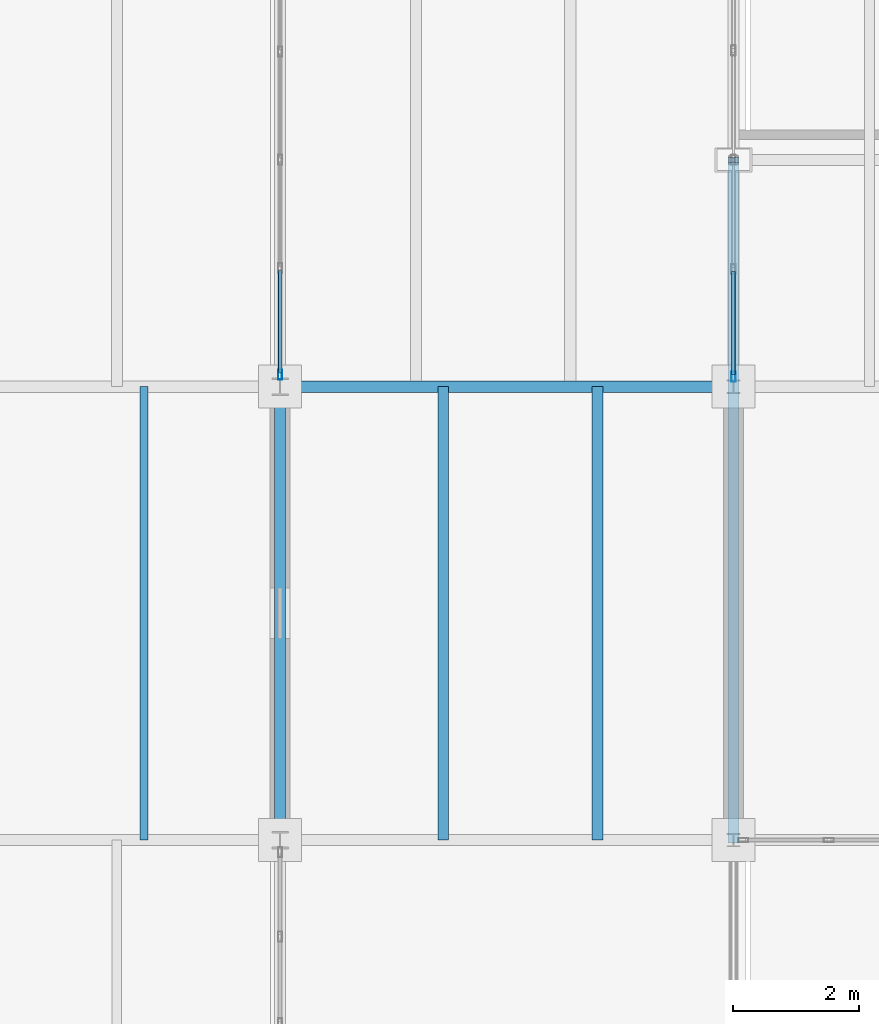
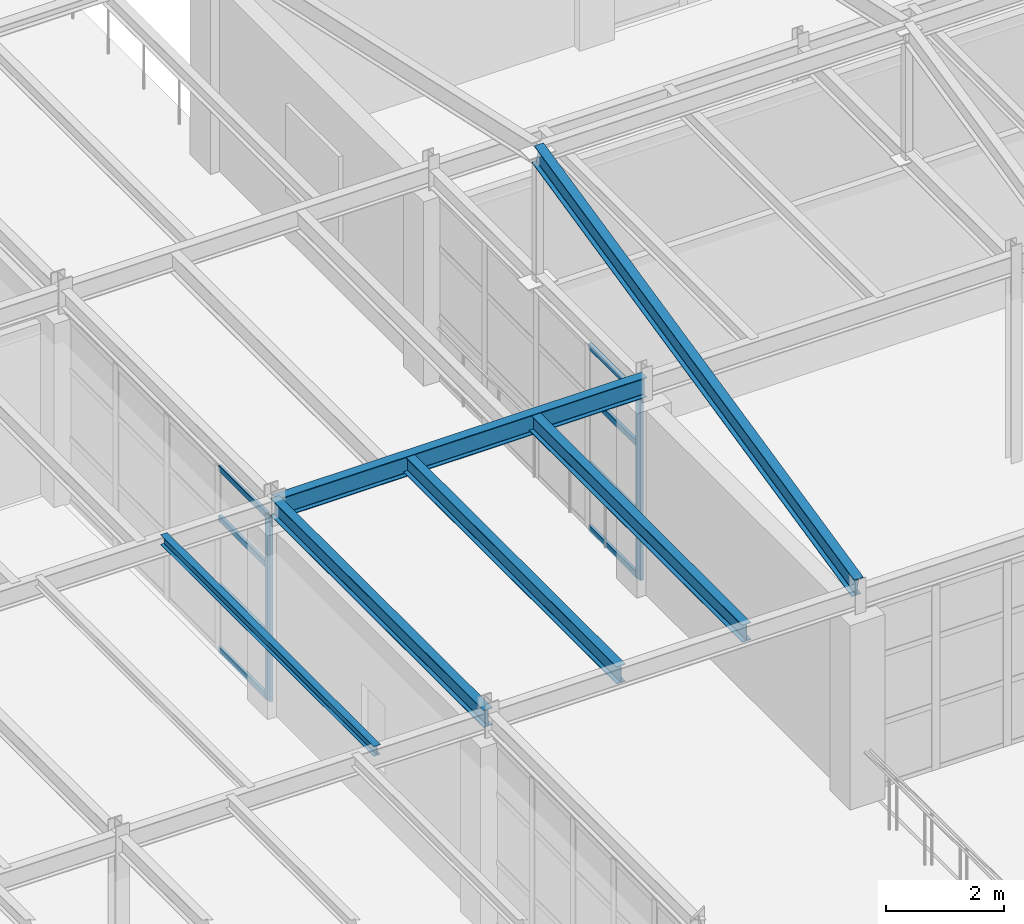
# One storey, part 29 of 101: 10 members, 6 beams, 2 elements without a shape of their own.
"""IFC4 building model written with IfcOpenShell, lengths in metres."""

from ifc_helpers import new_model, si_unit, direction, frame, origin, origin_2d, place, context, subcontext, project, spatial, hollow_rectangle, i_section, extrude, material, layer, layer_set, material_profile, profile_set, type_object, element, aggregate, save


model = new_model("IFC4")

# Units and contexts
model_context = context("Model", 3, precision=1e-05, world=origin(), true_north=direction((0.0, 1.0)))
body_context = subcontext(model_context, "Body", "Model", "MODEL_VIEW")
ifc_project = project(units=[si_unit("LENGTHUNIT", "METRE"), si_unit("AREAUNIT", "SQUARE_METRE"), si_unit("VOLUMEUNIT", "CUBIC_METRE"), si_unit("PLANEANGLEUNIT", "RADIAN"), si_unit("MASSUNIT", "GRAM", prefix="KILO")], contexts=[model_context])

# Site, building, storey
site_placement = place(None, origin())
site = spatial("IfcSite", under=ifc_project, at=site_placement, CompositionType="ELEMENT")
building_placement = place(site_placement, origin())
building = spatial("IfcBuilding", under=site, at=building_placement, Name="Kemerveld Promenade Tramway Depot", CompositionType="ELEMENT")
storey_placement = place(building_placement, frame((0.0, 0.0, 9.89990234375)))
storey = spatial("IfcBuildingStorey", under=building, at=storey_placement, Name="L02", CompositionType="ELEMENT", Elevation=9.89990234375)

# Beams
ifc_material_1 = material(Name="Steel S355", Category="steel")
ifc_material_profile_1 = material_profile(ifc_material_1, i_section(OverallWidth=0.1787109375, OverallDepth=0.409423828125, WebThickness=0.0087890625, FlangeThickness=0.014404296875, FilletRadius=0.01025390625, at=origin_2d()), Name="406x178x67 UB")
ifc_profile_set_1 = profile_set([ifc_material_profile_1], Name="Steel S355")
beam_type_1 = type_object("IfcBeamType", Name="BM-G07", PredefinedType="BEAM", material=ifc_profile_set_1)
beam_1_placement = place(storey_placement, frame((50.39990234375, 14.39990234375, 4.080322265625), z_axis=(1.0, 0.0, 0.0), x_axis=(0.0, 1.0, 0.0)))
element("IfcBeam", 1, at=beam_1_placement, inside=storey, type_object=beam_type_1, Name="BMX-L02-08-09-C", PredefinedType="BEAM", context=body_context, shape_type="SweptSolid", body=[
    extrude(i_section(OverallWidth=0.1787109375, OverallDepth=0.409423828125, WebThickness=0.0087890625, FlangeThickness=0.014404296875, FilletRadius=0.01025390625, at=origin_2d()), origin(), (0.0, 0.0, 1.0), 7.2001953125),
])
beam_2_placement = place(storey_placement, frame((57.60009765625, 7.199951171875, 4.275390625), z_axis=(0.0, 0.976189137057, 0.216921111677), x_axis=(-1.0, 0.0, 0.0)))
element("IfcBeam", 2, at=beam_2_placement, inside=storey, type_object=beam_type_1, Name="RAF-V4-09-S", PredefinedType="BEAM", context=body_context, shape_type="SweptSolid", body=[
    extrude(i_section(OverallWidth=0.1787109375, OverallDepth=0.409423828125, WebThickness=0.0087890625, FlangeThickness=0.014404296875, FilletRadius=0.01025390625, at=origin_2d()), origin(), (0.0, 0.0, 1.0), 11.0634765625),
])
ifc_material_profile_2 = material_profile(ifc_material_1, i_section(OverallWidth=0.172119140625, OverallDepth=0.35791015625, WebThickness=0.008056640625, FlangeThickness=0.012939453125, FilletRadius=0.01025390625, at=origin_2d()), Name="356x171x57 UB")
ifc_profile_set_2 = profile_set([ifc_material_profile_2], Name="Steel S355")
beam_type_2 = type_object("IfcBeamType", Name="BM-G08", PredefinedType="BEAM", material=ifc_profile_set_2)
beam_3_placement = place(storey_placement, frame((50.39990234375, 7.199951171875, 4.106201171875), z_axis=(0.0, 1.0, 0.0), x_axis=(-1.0, 0.0, 0.0)))
element("IfcBeam", 3, at=beam_3_placement, inside=storey, type_object=beam_type_2, Name="BMY-L02-08-B-C", PredefinedType="BEAM", context=body_context, shape_type="SweptSolid", body=[
    extrude(i_section(OverallWidth=0.172119140625, OverallDepth=0.35791015625, WebThickness=0.008056640625, FlangeThickness=0.012939453125, FilletRadius=0.01025390625, at=origin_2d()), origin(), (0.0, 0.0, 1.0), 7.199951171875),
])
ifc_material_profile_3 = material_profile(ifc_material_1, i_section(OverallWidth=0.13330078125, OverallDepth=0.203125, WebThickness=0.005615234375, FlangeThickness=0.0078125, FilletRadius=0.007568359375, at=origin_2d()), Name="203x133x25 UB")
ifc_profile_set_3 = profile_set([ifc_material_profile_3], Name="Steel S355")
beam_type_3 = type_object("IfcBeamType", Name="BM-J03", PredefinedType="JOIST", material=ifc_profile_set_3)
beam_4_placement = place(storey_placement, frame((48.239990234375, 7.199951171875, 4.18359375), z_axis=(0.0, 1.0, 0.0), x_axis=(-1.0, 0.0, 0.0)))
element("IfcBeam", 4, at=beam_4_placement, inside=storey, type_object=beam_type_3, Name="JST-L02-07-B-2", PredefinedType="JOIST", context=body_context, shape_type="SweptSolid", body=[
    extrude(i_section(OverallWidth=0.13330078125, OverallDepth=0.203125, WebThickness=0.005615234375, FlangeThickness=0.0078125, FilletRadius=0.007568359375, at=origin_2d()), origin(), (0.0, 0.0, 1.0), 7.199951171875),
])
ifc_material_profile_4 = material_profile(ifc_material_1, i_section(OverallWidth=0.172119140625, OverallDepth=0.35791015625, WebThickness=0.008056640625, FlangeThickness=0.012939453125, FilletRadius=0.01025390625, at=origin_2d()), Name="356x171x57 UB")
ifc_profile_set_4 = profile_set([ifc_material_profile_4], Name="Steel S355")
beam_type_4 = type_object("IfcBeamType", Name="BM-J04", PredefinedType="JOIST", material=ifc_profile_set_4)
for number, where, z_axis, x_axis, name in (
    (5, (52.991943359375, 7.199951171875, 4.09619140625), (0.0, 1.0, 0.0), (-1.0, 0.0, 0.0), "JST-L02-08-B-1"),
    (6, (55.43994140625, 7.199951171875, 4.09619140625), (0.0, 1.0, 0.0), (-1.0, 0.0, 0.0), "JST-L02-08-B-2"),
):
    element("IfcBeam", number, at=place(storey_placement, frame(where, z_axis=z_axis, x_axis=x_axis)), inside=storey, type_object=beam_type_4, Name=name, PredefinedType="JOIST", context=body_context, shape_type="SweptSolid", body=[
        extrude(i_section(OverallWidth=0.172119140625, OverallDepth=0.35791015625, WebThickness=0.008056640625, FlangeThickness=0.012939453125, FilletRadius=0.01025390625, at=origin_2d()), origin(), (0.0, 0.0, 1.0), 7.199951171875),
    ])

# Curtain wall, member
ifc_material_2 = material(Name="Bronze anodised aluminium and solar glass", Category="aluminium")
ifc_layer_1 = layer(ifc_material_2, 0.159912109375)
ifc_layer_set_1 = layer_set([ifc_layer_1], Name="CW-SYS-11")
curtain_wall_type_1 = type_object("IfcCurtainWallType", Name="CW-SYS-11", PredefinedType="USERDEFINED", material=ifc_layer_set_1)
curtain_wall_1_placement = place(storey_placement, origin())
curtain_wall_1 = element("IfcCurtainWall", 7, at=curtain_wall_1_placement, inside=storey, type_object=curtain_wall_type_1, Name="CW-L02-V5E-08", ObjectType="GLAZED_CURTAIN_WALL", PredefinedType="USERDEFINED")
ifc_material_3 = material(Name="Bronze anodised aluminium", Category="aluminium")
ifc_material_profile_5 = material_profile(ifc_material_3, hollow_rectangle(XDim=0.06494140625, YDim=0.159912109375, WallThickness=0.00390625, InnerFilletRadius=0.001953125, OuterFilletRadius=0.00390625, at=origin_2d()), Name="CW-MUL-160x65")
ifc_profile_set_5 = profile_set([ifc_material_profile_5], Name="Bronze anodised aluminium")
member_type_1 = type_object("IfcMemberType", Name="CW-MUL-A", PredefinedType="MULLION", material=ifc_profile_set_5)
member_1_placement = place(storey_placement, frame((50.39990234375, 14.590576171875, 0.0), z_axis=(0.0, 0.0, 1.0), x_axis=(1.0, 0.0, 0.0)))
member_1 = element("IfcMember", 8, at=member_1_placement, type_object=member_type_1, Name="CW11 mullion 5", PredefinedType="MULLION", context=body_context, shape_type="SweptSolid", body=[
    extrude(hollow_rectangle(XDim=0.06494140625, YDim=0.159912109375, WallThickness=0.00390625, InnerFilletRadius=0.001953125, OuterFilletRadius=0.00390625, at=origin_2d()), origin(), (0.0, 0.0, 1.0), 3.800048828125),
])

ifc_layer_2 = layer(ifc_material_2, 0.159912109375)
ifc_layer_set_2 = layer_set([ifc_layer_2], Name="CW-SYS-05")
curtain_wall_type_2 = type_object("IfcCurtainWallType", Name="CW-SYS-05", PredefinedType="USERDEFINED", material=ifc_layer_set_2)
curtain_wall_2_placement = place(storey_placement, origin())
curtain_wall_2 = element("IfcCurtainWall", 9, at=curtain_wall_2_placement, inside=storey, type_object=curtain_wall_type_2, Name="CW-L02-V4W-02", ObjectType="GLAZED_CURTAIN_WALL", PredefinedType="USERDEFINED")
member_2_placement = place(storey_placement, frame((57.60009765625, 14.557373046875, 0.0), z_axis=(0.0, 0.0, 1.0), x_axis=(-1.0, 0.0, 0.0)))
member_2 = element("IfcMember", 10, at=member_2_placement, type_object=member_type_1, Name="CW05 mullion 1", PredefinedType="MULLION", context=body_context, shape_type="SweptSolid", body=[
    extrude(hollow_rectangle(XDim=0.06494140625, YDim=0.159912109375, WallThickness=0.00390625, InnerFilletRadius=0.001953125, OuterFilletRadius=0.00390625, at=origin_2d()), origin(), (0.0, 0.0, 1.0), 3.800048828125),
])

# Member
ifc_material_profile_6 = material_profile(ifc_material_3, hollow_rectangle(XDim=0.06005859375, YDim=0.1201171875, WallThickness=0.00390625, InnerFilletRadius=0.001953125, OuterFilletRadius=0.00390625, at=origin_2d()), Name="CW-TRN-120x60")
ifc_profile_set_6 = profile_set([ifc_material_profile_6], Name="Bronze anodised aluminium")
member_type_2 = type_object("IfcMemberType", Name="CW-TRN-A", PredefinedType="USERDEFINED", material=ifc_profile_set_6)
member_3_placement = place(storey_placement, frame((50.39990234375, 16.24658203125, 0.030029296875), z_axis=(0.0, -1.0, 0.0), x_axis=(1.0, 0.0, 0.0)))
member_3 = element("IfcMember", 11, at=member_3_placement, type_object=member_type_2, Name="CW11 transom 4.1", ObjectType="TRANSOM", PredefinedType="USERDEFINED", context=body_context, shape_type="SweptSolid", body=[
    extrude(hollow_rectangle(XDim=0.06005859375, YDim=0.1201171875, WallThickness=0.00390625, InnerFilletRadius=0.001953125, OuterFilletRadius=0.00390625, at=origin_2d()), origin(), (0.0, 0.0, 1.0), 1.62353515625),
])

member_4_placement = place(storey_placement, frame((50.39990234375, 16.24658203125, 1.330078125), z_axis=(0.0, -1.0, 0.0), x_axis=(1.0, 0.0, 0.0)))
member_4 = element("IfcMember", 12, at=member_4_placement, type_object=member_type_2, Name="CW11 transom 4.2", ObjectType="TRANSOM", PredefinedType="USERDEFINED", context=body_context, shape_type="SweptSolid", body=[
    extrude(hollow_rectangle(XDim=0.06005859375, YDim=0.1201171875, WallThickness=0.00390625, InnerFilletRadius=0.001953125, OuterFilletRadius=0.00390625, at=origin_2d()), origin(), (0.0, 0.0, 1.0), 1.62353515625),
])

member_5_placement = place(storey_placement, frame((50.39990234375, 16.24658203125, 2.736083984375), z_axis=(0.0, -1.0, 0.0), x_axis=(1.0, 0.0, 0.0)))
member_5 = element("IfcMember", 13, at=member_5_placement, type_object=member_type_2, Name="CW11 transom 4.3", ObjectType="TRANSOM", PredefinedType="USERDEFINED", context=body_context, shape_type="SweptSolid", body=[
    extrude(hollow_rectangle(XDim=0.06005859375, YDim=0.1201171875, WallThickness=0.00390625, InnerFilletRadius=0.001953125, OuterFilletRadius=0.00390625, at=origin_2d()), origin(), (0.0, 0.0, 1.0), 1.62353515625),
])

member_6_placement = place(storey_placement, frame((50.39990234375, 16.24658203125, 3.77001953125), z_axis=(0.0, -1.0, 0.0), x_axis=(1.0, 0.0, 0.0)))
member_6 = element("IfcMember", 14, at=member_6_placement, type_object=member_type_2, Name="CW11 transom 4.4", ObjectType="TRANSOM", PredefinedType="USERDEFINED", context=body_context, shape_type="SweptSolid", body=[
    extrude(hollow_rectangle(XDim=0.06005859375, YDim=0.1201171875, WallThickness=0.00390625, InnerFilletRadius=0.001953125, OuterFilletRadius=0.00390625, at=origin_2d()), origin(), (0.0, 0.0, 1.0), 1.62353515625),
])

aggregate(curtain_wall_1, [member_1, member_3, member_4, member_5, member_6])

member_7_placement = place(storey_placement, frame((57.60009765625, 14.58984375, 0.030029296875), z_axis=(0.0, 1.0, 0.0), x_axis=(-1.0, 0.0, 0.0)))
member_7 = element("IfcMember", 15, at=member_7_placement, type_object=member_type_2, Name="CW05 transom 1.1", ObjectType="TRANSOM", PredefinedType="USERDEFINED", context=body_context, shape_type="SweptSolid", body=[
    extrude(hollow_rectangle(XDim=0.06005859375, YDim=0.1201171875, WallThickness=0.00390625, InnerFilletRadius=0.001953125, OuterFilletRadius=0.00390625, at=origin_2d()), origin(), (0.0, 0.0, 1.0), 1.64013671875),
])

member_8_placement = place(storey_placement, frame((57.60009765625, 14.58984375, 1.330078125), z_axis=(0.0, 1.0, 0.0), x_axis=(-1.0, 0.0, 0.0)))
member_8 = element("IfcMember", 16, at=member_8_placement, type_object=member_type_2, Name="CW05 transom 1.2", ObjectType="TRANSOM", PredefinedType="USERDEFINED", context=body_context, shape_type="SweptSolid", body=[
    extrude(hollow_rectangle(XDim=0.06005859375, YDim=0.1201171875, WallThickness=0.00390625, InnerFilletRadius=0.001953125, OuterFilletRadius=0.00390625, at=origin_2d()), origin(), (0.0, 0.0, 1.0), 1.64013671875),
])

member_9_placement = place(storey_placement, frame((57.60009765625, 14.58984375, 2.736083984375), z_axis=(0.0, 1.0, 0.0), x_axis=(-1.0, 0.0, 0.0)))
member_9 = element("IfcMember", 17, at=member_9_placement, type_object=member_type_2, Name="CW05 transom 1.3", ObjectType="TRANSOM", PredefinedType="USERDEFINED", context=body_context, shape_type="SweptSolid", body=[
    extrude(hollow_rectangle(XDim=0.06005859375, YDim=0.1201171875, WallThickness=0.00390625, InnerFilletRadius=0.001953125, OuterFilletRadius=0.00390625, at=origin_2d()), origin(), (0.0, 0.0, 1.0), 1.64013671875),
])

member_10_placement = place(storey_placement, frame((57.60009765625, 14.58984375, 3.77001953125), z_axis=(0.0, 1.0, 0.0), x_axis=(-1.0, 0.0, 0.0)))
member_10 = element("IfcMember", 18, at=member_10_placement, type_object=member_type_2, Name="CW05 transom 1.4", ObjectType="TRANSOM", PredefinedType="USERDEFINED", context=body_context, shape_type="SweptSolid", body=[
    extrude(hollow_rectangle(XDim=0.06005859375, YDim=0.1201171875, WallThickness=0.00390625, InnerFilletRadius=0.001953125, OuterFilletRadius=0.00390625, at=origin_2d()), origin(), (0.0, 0.0, 1.0), 1.64013671875),
])

aggregate(curtain_wall_2, [member_2, member_7, member_8, member_9, member_10])

save(model, "model.ifc")
